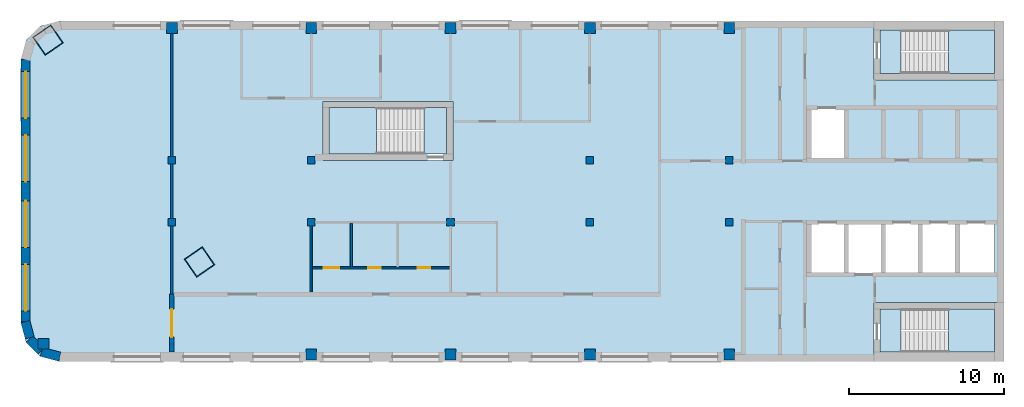
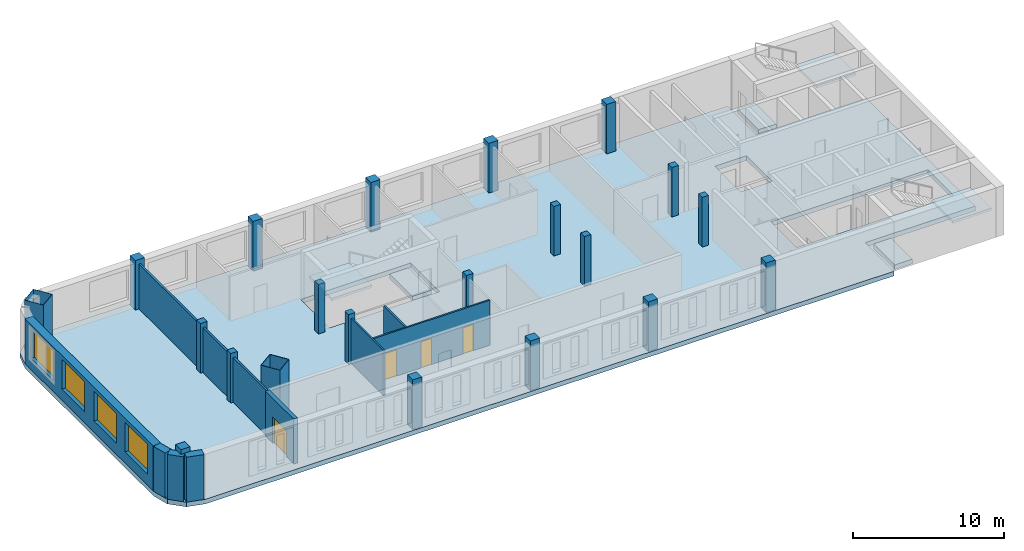
# One storey, part 1 of 5: 21 columns, 9 walls, 7 slabs, 4 doors, 4 windows, 8 openings, 3 elements without a shape of their own.
"""IFC4 building model written with IfcOpenShell, lengths in metres."""

from ifc_helpers import new_model, si_unit, direction, frame, frame_2d, origin, origin_2d, place, context, subcontext, project, spatial, polyline, rectangle, hollow_rectangle, outline, extrude, material, layer, layer_set, material_profile, profile_set, type_object, element, fill, aggregate, save


model = new_model("IFC4")

# Units and contexts
model_context = context("Model", 3, precision=1e-05, world=origin(), true_north=direction((0.0, 1.0)))
body_context = subcontext(model_context, "Body", "Model", "MODEL_VIEW")
ifc_project = project(units=[si_unit("LENGTHUNIT", "METRE"), si_unit("AREAUNIT", "SQUARE_METRE"), si_unit("VOLUMEUNIT", "CUBIC_METRE"), si_unit("PLANEANGLEUNIT", "RADIAN"), si_unit("MASSUNIT", "GRAM", prefix="KILO")], contexts=[model_context])

# Site, building, storey
site_placement = place(None, origin())
site = spatial("IfcSite", under=ifc_project, at=site_placement, CompositionType="ELEMENT")
building_placement = place(site_placement, origin())
building = spatial("IfcBuilding", under=site, at=building_placement, Name="Skarvind Civic Tower", CompositionType="ELEMENT")
storey_placement = place(building_placement, frame((0.0, 0.0, 257.5)))
storey = spatial("IfcBuildingStorey", under=building, at=storey_placement, Name="L61", CompositionType="ELEMENT", Elevation=257.5)

# Columns
ifc_material_1 = material(Name="Concrete C60", Category="concrete")
ifc_material_profile_1 = material_profile(ifc_material_1, rectangle(XDim=0.5, YDim=0.5, at=origin_2d()), Name="RC-500x500")
ifc_profile_set_1 = profile_set([ifc_material_profile_1], Name="Concrete C60")
column_type_1 = type_object("IfcColumnType", Name="Column RC-500x500 C60", PredefinedType="COLUMN", material=ifc_profile_set_1)
for number, where, z_axis, x_axis, name in (
    (1, (54.25, 130.0, 0.0), (0.0, 0.0, 1.0), (1.0, 0.0, 0.0), "Column wing 1 north inner 02 L61"),
    (2, (63.25, 130.0, 0.0), (0.0, 0.0, 1.0), (1.0, 0.0, 0.0), "Column wing 1 north inner 03 L61"),
    (3, (81.25, 130.0, 0.0), (0.0, 0.0, 1.0), (1.0, 0.0, 0.0), "Column wing 1 north inner 05 L61"),
    (4, (90.25, 130.0, 0.0), (0.0, 0.0, 1.0), (1.0, 0.0, 0.0), "Column wing 1 north inner 06 L61"),
    (5, (54.25, 126.0, 0.0), (0.0, 0.0, 1.0), (1.0, 0.0, 0.0), "Column wing 1 south inner 02 L61"),
    (6, (63.25, 126.0, 0.0), (0.0, 0.0, 1.0), (1.0, 0.0, 0.0), "Column wing 1 south inner 03 L61"),
    (7, (72.25, 126.0, 0.0), (0.0, 0.0, 1.0), (1.0, 0.0, 0.0), "Column wing 1 south inner 04 L61"),
    (8, (81.25, 126.0, 0.0), (0.0, 0.0, 1.0), (1.0, 0.0, 0.0), "Column wing 1 south inner 05 L61"),
    (9, (90.25, 126.0, 0.0), (0.0, 0.0, 1.0), (1.0, 0.0, 0.0), "Column wing 1 south inner 06 L61"),
):
    element("IfcColumn", number, at=place(storey_placement, frame(where, z_axis=z_axis, x_axis=x_axis)), inside=storey, type_object=column_type_1, Name=name, PredefinedType="COLUMN", context=body_context, shape_type="SweptSolid", body=[
        extrude(rectangle(XDim=0.5, YDim=0.5, at=origin_2d()), origin(), (0.0, 0.0, 1.0), 4.0),
    ])
ifc_material_profile_2 = material_profile(ifc_material_1, rectangle(XDim=0.699951171875, YDim=0.699951171875, at=origin_2d()), Name="RC-700x700")
ifc_profile_set_2 = profile_set([ifc_material_profile_2], Name="Concrete C60")
column_type_2 = type_object("IfcColumnType", Name="Column RC-700x700 C60", PredefinedType="COLUMN", material=ifc_profile_set_2)
for number, where, z_axis, x_axis, name in (
    (10, (54.25, 138.550048828125, 0.0), (0.0, 0.0, 1.0), (1.0, 0.0, 0.0), "Column wing 1 north perimeter 02 L61"),
    (11, (63.25, 138.550048828125, 0.0), (0.0, 0.0, 1.0), (1.0, 0.0, 0.0), "Column wing 1 north perimeter 03 L61"),
    (12, (72.25, 138.550048828125, 0.0), (0.0, 0.0, 1.0), (1.0, 0.0, 0.0), "Column wing 1 north perimeter 04 L61"),
    (13, (81.25, 138.550048828125, 0.0), (0.0, 0.0, 1.0), (1.0, 0.0, 0.0), "Column wing 1 north perimeter 05 L61"),
    (14, (90.25, 138.550048828125, 0.0), (0.0, 0.0, 1.0), (1.0, 0.0, 0.0), "Column wing 1 north perimeter 06 L61"),
    (15, (45.95166015625, 118.151611328125, 0.0), (0.0, 0.0, 1.0), (1.0, 0.0, 0.0), "Column wing 1 south perimeter 01 L61"),
    (16, (63.25, 117.449951171875, 0.0), (0.0, 0.0, 1.0), (1.0, 0.0, 0.0), "Column wing 1 south perimeter 03 L61"),
    (17, (72.25, 117.449951171875, 0.0), (0.0, 0.0, 1.0), (1.0, 0.0, 0.0), "Column wing 1 south perimeter 04 L61"),
    (18, (81.25, 117.449951171875, 0.0), (0.0, 0.0, 1.0), (1.0, 0.0, 0.0), "Column wing 1 south perimeter 05 L61"),
    (19, (90.25, 117.449951171875, 0.0), (0.0, 0.0, 1.0), (1.0, 0.0, 0.0), "Column wing 1 south perimeter 06 L61"),
):
    element("IfcColumn", number, at=place(storey_placement, frame(where, z_axis=z_axis, x_axis=x_axis)), inside=storey, type_object=column_type_2, Name=name, PredefinedType="COLUMN", context=body_context, shape_type="SweptSolid", body=[
        extrude(rectangle(XDim=0.699951171875, YDim=0.699951171875, at=origin_2d()), origin(), (0.0, 0.0, 1.0), 4.0),
    ])
ifc_material_2 = material(Name="Composite concrete-filled steel tube, Steel SM355 with Concrete C60", Category="concrete")
ifc_material_profile_3 = material_profile(ifc_material_2, hollow_rectangle(XDim=1.39990234375, YDim=1.39990234375, WallThickness=0.02490234375, at=origin_2d()), Name="BOX-1400x1400x25")
ifc_profile_set_3 = profile_set([ifc_material_profile_3], Name="Composite concrete-filled steel tube, Steel SM355 with Concrete C60")
column_type_3 = type_object("IfcColumnType", Name="Mega column BOX-1400x1400x25 filled C60", PredefinedType="COLUMN", material=ifc_profile_set_3)
for number, where, z_axis, x_axis, name in (
    (20, (46.2470703125, 137.762451171875, 0.0), (0.0, 0.0, 1.0), (0.573576436351, -0.819152044289, 0.0), "Mega column 2 L61"),
    (21, (56.0361328125, 123.43017578125, 0.0), (0.0, 0.0, 1.0), (0.573576436351, -0.819152044289, 0.0), "Mega column 4 L61"),
):
    element("IfcColumn", number, at=place(storey_placement, frame(where, z_axis=z_axis, x_axis=x_axis)), inside=storey, type_object=column_type_3, Name=name, PredefinedType="COLUMN", context=body_context, shape_type="SweptSolid", body=[
        extrude(hollow_rectangle(XDim=1.39990234375, YDim=1.39990234375, WallThickness=0.02490234375, at=origin_2d()), origin(), (0.0, 0.0, 1.0), 4.0),
    ])

# Slabs
ifc_material_3 = material(Name="Concrete C50", Category="concrete")
ifc_layer_1 = layer(ifc_material_3, 0.375)
ifc_layer_set_1 = layer_set([ifc_layer_1], Name="Floor slab 375 C50")
slab_type_1 = type_object("IfcSlabType", Name="Floor slab 375 C50", PredefinedType="FLOOR", material=ifc_layer_set_1)
slab_1_placement = place(storey_placement, frame((0.0, 0.0, -0.375)))
element("IfcSlab", 22, at=slab_1_placement, inside=storey, type_object=slab_type_1, Name="Floor slab L61 1", PredefinedType="FLOOR", context=body_context, shape_type="SweptSolid", body=[
    extrude(outline(polyline([(99.60009765625, 117.0), (99.60009765625, 120.800048828125), (108.0, 120.800048828125), (108.0, 135.199951171875), (99.60009765625, 135.199951171875), (99.60009765625, 139.0), (47.0, 139.0), (45.75, 138.6650390625), (44.8349609375, 137.75), (44.5, 136.5), (44.5, 119.5), (44.8349609375, 118.25), (45.75, 117.3349609375), (47.0, 117.0), (99.60009765625, 117.0)]), holes=[polyline([(95.39990234375, 126.0), (97.800048828125, 126.0), (100.199951171875, 126.0), (102.60009765625, 126.0), (105.0, 126.0), (107.39990234375, 126.0), (107.39990234375, 122.60009765625), (105.0, 122.60009765625), (102.60009765625, 122.60009765625), (100.199951171875, 122.60009765625), (97.800048828125, 122.60009765625), (95.39990234375, 122.60009765625), (95.39990234375, 126.0)]), polyline([(95.39990234375, 133.39990234375), (97.800048828125, 133.39990234375), (97.800048828125, 130.0), (95.39990234375, 130.0), (95.39990234375, 133.39990234375)]), polyline([(64.0, 130.0), (64.0, 133.800048828125), (72.39990234375, 133.800048828125), (72.39990234375, 130.0), (64.0, 130.0)])]), origin(), (0.0, 0.0, 1.0), 0.375),
])
ifc_material_4 = material(Name="Concrete C40/50", Category="concrete")
ifc_layer_2 = layer(ifc_material_4, 0.375)
ifc_layer_set_2 = layer_set([ifc_layer_2], Name="Stair floor landing slab 375")
slab_type_2 = type_object("IfcSlabType", Name="Stair floor landing slab 375", PredefinedType="LANDING", material=ifc_layer_set_2)
slab_2_placement = place(storey_placement, frame((0.0, 0.0, -0.375)))
element("IfcSlab", 23, at=slab_2_placement, inside=storey, type_object=slab_type_2, Name="Stair floor landing", PredefinedType="LANDING", context=body_context, shape_type="SweptSolid", body=[
    extrude(outline(polyline([(101.3505859375, 138.400634765625), (101.3505859375, 135.599365234375), (99.99951171875, 135.599365234375), (99.99951171875, 138.400634765625), (101.3505859375, 138.400634765625)])), origin(), (0.0, 0.0, 1.0), 0.375),
])
slab_3_placement = place(storey_placement, frame((0.0, 0.0, -0.375)))
element("IfcSlab", 24, at=slab_3_placement, inside=storey, type_object=slab_type_2, Name="Stair floor landing", PredefinedType="LANDING", context=body_context, shape_type="SweptSolid", body=[
    extrude(outline(polyline([(101.3505859375, 120.400634765625), (101.3505859375, 117.599365234375), (99.99951171875, 117.599365234375), (99.99951171875, 120.400634765625), (101.3505859375, 120.400634765625)])), origin(), (0.0, 0.0, 1.0), 0.375),
])
slab_4_placement = place(storey_placement, frame((0.0, 0.0, -0.375)))
element("IfcSlab", 25, at=slab_4_placement, inside=storey, type_object=slab_type_2, Name="Stair floor landing", PredefinedType="LANDING", context=body_context, shape_type="SweptSolid", body=[
    extrude(outline(polyline([(70.54931640625, 130.3994140625), (70.54931640625, 133.400634765625), (72.00048828125, 133.400634765625), (72.00048828125, 130.3994140625), (70.54931640625, 130.3994140625)])), origin(), (0.0, 0.0, 1.0), 0.375),
])

# Stair, slab
stair_type_1 = type_object("IfcStairType", Name="Exit stair, half-turn, concrete", PredefinedType="HALF_TURN_STAIR", material=ifc_material_4)
stair_1_placement = place(storey_placement, origin())
stair_1 = element("IfcStair", 26, at=stair_1_placement, inside=storey, type_object=stair_type_1, Name="Exit stair C1S", PredefinedType="HALF_TURN_STAIR")
ifc_layer_3 = layer(ifc_material_4, 0.199951171875)
ifc_layer_set_3 = layer_set([ifc_layer_3], Name="Stair half landing slab")
slab_type_3 = type_object("IfcSlabType", Name="Stair half landing slab", PredefinedType="LANDING", material=ifc_layer_set_3)
slab_5_placement = place(storey_placement, frame((0.0, 0.0, 1.800048828125)))
slab_5 = element("IfcSlab", 27, at=slab_5_placement, type_object=slab_type_3, Name="ST-C1S landing 1", PredefinedType="LANDING", context=body_context, shape_type="SweptSolid", body=[
    extrude(outline(polyline([(104.429443359375, 135.599365234375), (104.429443359375, 138.400634765625), (107.400634765625, 138.400634765625), (107.400634765625, 135.599365234375), (104.429443359375, 135.599365234375)])), origin(), (0.0, 0.0, 1.0), 0.199951171875),
])
aggregate(stair_1, [slab_5])

stair_2_placement = place(storey_placement, origin())
stair_2 = element("IfcStair", 28, at=stair_2_placement, inside=storey, type_object=stair_type_1, Name="Exit stair C1N", PredefinedType="HALF_TURN_STAIR")
slab_6_placement = place(storey_placement, frame((0.0, 0.0, 1.800048828125)))
slab_6 = element("IfcSlab", 29, at=slab_6_placement, type_object=slab_type_3, Name="ST-C1N landing 1", PredefinedType="LANDING", context=body_context, shape_type="SweptSolid", body=[
    extrude(outline(polyline([(104.429443359375, 117.599365234375), (104.429443359375, 120.400634765625), (107.400634765625, 120.400634765625), (107.400634765625, 117.599365234375), (104.429443359375, 117.599365234375)])), origin(), (0.0, 0.0, 1.0), 0.199951171875),
])
aggregate(stair_2, [slab_6])

stair_type_2 = type_object("IfcStairType", Name="Exit stair 1450, half-turn, concrete", PredefinedType="HALF_TURN_STAIR", material=ifc_material_4)
stair_3_placement = place(storey_placement, origin())
stair_3 = element("IfcStair", 30, at=stair_3_placement, inside=storey, type_object=stair_type_2, Name="Exit stair CM", PredefinedType="HALF_TURN_STAIR")
slab_7_placement = place(storey_placement, frame((0.0, 0.0, 1.800048828125)))
slab_7 = element("IfcSlab", 31, at=slab_7_placement, type_object=slab_type_3, Name="ST-CM landing 1", PredefinedType="LANDING", context=body_context, shape_type="SweptSolid", body=[
    extrude(outline(polyline([(67.470703125, 133.400634765625), (67.470703125, 130.3994140625), (64.3994140625, 130.3994140625), (64.3994140625, 133.400634765625), (67.470703125, 133.400634765625)])), origin(), (0.0, 0.0, 1.0), 0.199951171875),
])
aggregate(stair_3, [slab_7])

# Wall, opening, door
ifc_material_5 = material(Name="Fire-rated gypsum board on steel studs", Category="steel")
ifc_layer_4 = layer(ifc_material_5, 0.300048828125)
ifc_layer_set_4 = layer_set([ifc_layer_4], Name="CORRIDOR WALL 300")
wall_type_1 = type_object("IfcWallType", Name="CORRIDOR WALL 300", PredefinedType="PARTITIONING", material=ifc_layer_set_4)
wall_1_placement = place(storey_placement, frame((54.25, 117.60009765625, 0.0), z_axis=(0.0, 0.0, 1.0), x_axis=(0.0, 1.0, 0.0)))
wall_1 = element("IfcWall", 32, at=wall_1_placement, inside=storey, type_object=wall_type_1, Name="Partition 61.001", PredefinedType="PARTITIONING", context=body_context, shape_type="SweptSolid", body=[
    extrude(rectangle(XDim=3.75, YDim=0.300048828125, at=frame_2d((1.875, 0.0))), origin(), (0.0, 0.0, 1.0), 3.625),
])
opening_1_placement = place(wall_1_placement, frame((0.9765625, 0.0, 0.0)))
opening_1 = element("IfcOpeningElement", 33, at=opening_1_placement, cuts=wall_1, Name="Opening L61-D013", PredefinedType="OPENING", context=body_context, shape_type="SweptSolid", body=[
    extrude(rectangle(XDim=1.800048828125, YDim=2.10009765625, at=frame_2d((0.89990234375, 1.050048828125))), frame((0.0, 0.159912109375, 0.0), z_axis=(0.0, -1.0, 0.0), x_axis=(1.0, 0.0, 0.0)), (0.0, 0.0, 1.0), 0.320068359375),
])
ifc_material_6 = material(Name="Fire-rated timber door leaf", Category="wood")
door_type_1 = type_object("IfcDoorType", Name="FD4 1800x2100", OperationType="NOTDEFINED", PredefinedType="DOOR", material=ifc_material_6)
door_1_placement = place(opening_1_placement, origin())
door_1 = element("IfcDoor", 34, at=door_1_placement, inside=storey, type_object=door_type_1, Name="Door L61-D013", OperationType="DOUBLE_DOOR_SINGLE_SWING", OverallHeight=2.10009765625, OverallWidth=1.800048828125, PredefinedType="DOOR", context=body_context, shape_type="SweptSolid", body=[
    extrude(rectangle(XDim=1.800048828125, YDim=2.10009765625, at=frame_2d((0.89990234375, 1.050048828125))), frame((0.0, 0.02490234375, 0.0), z_axis=(0.0, -1.0, 0.0), x_axis=(1.0, 0.0, 0.0)), (0.0, 0.0, 1.0), 0.050048828125),
])
fill(opening_1, door_1)

# Walls
ifc_material_7 = material(Name="Plasterboard partition on steel studs", Category="steel")
ifc_layer_5 = layer(ifc_material_7, 0.14990234375)
ifc_layer_set_5 = layer_set([ifc_layer_5], Name="PARTITION 150")
wall_type_2 = type_object("IfcWallType", Name="PARTITION 150", PredefinedType="PARTITIONING", material=ifc_layer_set_5)
wall_2_placement = place(storey_placement, frame((54.25, 138.39990234375, 0.0), z_axis=(0.0, 0.0, 1.0), x_axis=(0.0, -1.0, 0.0)))
element("IfcWall", 35, at=wall_2_placement, inside=storey, type_object=wall_type_2, Name="Partition 61.003", PredefinedType="PARTITIONING", context=body_context, shape_type="SweptSolid", body=[
    extrude(rectangle(XDim=17.0498046875, YDim=0.14990234375, at=frame_2d((8.52490234375, 0.0))), origin(), (0.0, 0.0, 1.0), 3.625),
])
ifc_material_8 = material(Name="Moisture-resistant gypsum board on steel studs", Category="steel")
ifc_layer_6 = layer(ifc_material_8, 0.125)
ifc_layer_set_6 = layer_set([ifc_layer_6], Name="WC PARTITION 125")
wall_type_3 = type_object("IfcWallType", Name="WC PARTITION 125", PredefinedType="PARTITIONING", material=ifc_layer_set_6)
wall_3_placement = place(storey_placement, frame((63.25, 121.5, 0.0), z_axis=(0.0, 0.0, 1.0), x_axis=(0.0, 1.0, 0.0)))
element("IfcWall", 36, at=wall_3_placement, inside=storey, type_object=wall_type_3, Name="Partition 61.006", PredefinedType="PARTITIONING", context=body_context, shape_type="SweptSolid", body=[
    extrude(rectangle(XDim=4.43798828125, YDim=0.125, at=frame_2d((2.218994140625, 0.0))), origin(), (0.0, 0.0, 1.0), 3.625),
])

# Wall, openings, doors
wall_4_placement = place(storey_placement, frame((63.31201171875, 123.050048828125, 0.0), z_axis=(0.0, 0.0, 1.0), x_axis=(1.0, 0.0, 0.0)))
wall_4 = element("IfcWall", 37, at=wall_4_placement, inside=storey, type_object=wall_type_3, Name="Partition 61.007", PredefinedType="PARTITIONING", context=body_context, shape_type="SweptSolid", body=[
    extrude(rectangle(XDim=8.8759765625, YDim=0.125, at=frame_2d((4.43798828125, 0.0))), origin(), (0.0, 0.0, 1.0), 3.625),
])
opening_2_placement = place(wall_4_placement, frame((6.81689453125, 0.0, 0.0)))
opening_2 = element("IfcOpeningElement", 38, at=opening_2_placement, cuts=wall_4, Name="Opening L61-D007", PredefinedType="OPENING", context=body_context, shape_type="SweptSolid", body=[
    extrude(rectangle(XDim=0.800048828125, YDim=2.10009765625, at=frame_2d((0.39990234375, 1.050048828125))), frame((0.0, 0.072509765625, 0.0), z_axis=(0.0, -1.0, 0.0), x_axis=(1.0, 0.0, 0.0)), (0.0, 0.0, 1.0), 0.14501953125),
])
opening_3_placement = place(wall_4_placement, frame((3.637939453125, 0.0, 0.0)))
opening_3 = element("IfcOpeningElement", 39, at=opening_3_placement, cuts=wall_4, Name="Opening L61-D008", PredefinedType="OPENING", context=body_context, shape_type="SweptSolid", body=[
    extrude(rectangle(XDim=0.800048828125, YDim=2.10009765625, at=frame_2d((0.39990234375, 1.050048828125))), frame((0.0, 0.072509765625, 0.0), z_axis=(0.0, -1.0, 0.0), x_axis=(1.0, 0.0, 0.0)), (0.0, 0.0, 1.0), 0.14501953125),
])
opening_4_placement = place(wall_4_placement, frame((0.759033203125, 0.0, 0.0)))
opening_4 = element("IfcOpeningElement", 40, at=opening_4_placement, cuts=wall_4, Name="Opening L61-D009", PredefinedType="OPENING", context=body_context, shape_type="SweptSolid", body=[
    extrude(rectangle(XDim=1.0, YDim=2.10009765625, at=frame_2d((0.5, 1.050048828125))), frame((0.0, 0.072509765625, 0.0), z_axis=(0.0, -1.0, 0.0), x_axis=(1.0, 0.0, 0.0)), (0.0, 0.0, 1.0), 0.14501953125),
])
ifc_material_9 = material(Name="Timber door leaf", Category="wood")
door_type_2 = type_object("IfcDoorType", Name="D1 1000x2100", OperationType="NOTDEFINED", PredefinedType="DOOR", material=ifc_material_9)
door_2_placement = place(opening_4_placement, origin())
door_2 = element("IfcDoor", 41, at=door_2_placement, inside=storey, type_object=door_type_2, Name="Door L61-D009", OperationType="SINGLE_SWING_LEFT", OverallHeight=2.10009765625, OverallWidth=1.0, PredefinedType="DOOR", context=body_context, shape_type="SweptSolid", body=[
    extrude(rectangle(XDim=1.0, YDim=2.10009765625, at=frame_2d((0.5, 1.050048828125))), frame((0.0, 0.02490234375, 0.0), z_axis=(0.0, -1.0, 0.0), x_axis=(1.0, 0.0, 0.0)), (0.0, 0.0, 1.0), 0.050048828125),
])
fill(opening_4, door_2)
door_type_3 = type_object("IfcDoorType", Name="DOOR 800X2100 TIMBER", OperationType="NOTDEFINED", PredefinedType="DOOR", material=ifc_material_9)
door_3_placement = place(opening_2_placement, origin())
door_3 = element("IfcDoor", 42, at=door_3_placement, inside=storey, type_object=door_type_3, Name="Door L61-D007", OperationType="SINGLE_SWING_RIGHT", OverallHeight=2.10009765625, OverallWidth=0.800048828125, PredefinedType="DOOR", context=body_context, shape_type="SweptSolid", body=[
    extrude(rectangle(XDim=0.800048828125, YDim=2.10009765625, at=frame_2d((0.39990234375, 1.050048828125))), frame((0.0, 0.02490234375, 0.0), z_axis=(0.0, -1.0, 0.0), x_axis=(1.0, 0.0, 0.0)), (0.0, 0.0, 1.0), 0.050048828125),
])
fill(opening_2, door_3)
door_4_placement = place(opening_3_placement, origin())
door_4 = element("IfcDoor", 43, at=door_4_placement, inside=storey, type_object=door_type_3, Name="Door L61-D008", OperationType="SINGLE_SWING_LEFT", OverallHeight=2.10009765625, OverallWidth=0.800048828125, PredefinedType="DOOR", context=body_context, shape_type="SweptSolid", body=[
    extrude(rectangle(XDim=0.800048828125, YDim=2.10009765625, at=frame_2d((0.39990234375, 1.050048828125))), frame((0.0, 0.02490234375, 0.0), z_axis=(0.0, -1.0, 0.0), x_axis=(1.0, 0.0, 0.0)), (0.0, 0.0, 1.0), 0.050048828125),
])
fill(opening_3, door_4)

# Wall
wall_5_placement = place(storey_placement, frame((65.85009765625, 125.93798828125, 0.0), z_axis=(0.0, 0.0, 1.0), x_axis=(0.0, -1.0, 0.0)))
element("IfcWall", 44, at=wall_5_placement, inside=storey, type_object=wall_type_3, Name="Partition 61.010", PredefinedType="PARTITIONING", context=body_context, shape_type="SweptSolid", body=[
    extrude(rectangle(XDim=2.825927734375, YDim=0.125, at=frame_2d((1.4130859375, 0.0))), origin(), (0.0, 0.0, 1.0), 3.625),
])

# Wall, openings, windows
ifc_material_10 = material(Name="Standing-seam zinc cladding on insulated backing")
ifc_layer_7 = layer(ifc_material_10, 0.60009765625)
ifc_layer_set_7 = layer_set([ifc_layer_7], Name="WX2 ZINC-CLAD FACADE WALL 600")
wall_type_4 = type_object("IfcWallType", Name="WX2 ZINC-CLAD FACADE WALL 600", PredefinedType="SOLIDWALL", material=ifc_layer_set_7)
wall_6_placement = place(storey_placement, frame((44.800048828125, 119.570068359375, 0.0), z_axis=(0.0, 0.0, 1.0), x_axis=(0.0, 1.0, 0.0)))
wall_6 = element("IfcWall", 45, at=wall_6_placement, inside=storey, type_object=wall_type_4, Name="ZINC-CLAD FACADE WALL", PredefinedType="SOLIDWALL", context=body_context, shape_type="SweptSolid", body=[
    extrude(rectangle(XDim=16.929931640625, YDim=0.60009765625, at=frame_2d((8.46484375, 0.0))), origin(), (0.0, 0.0, 1.0), 3.625),
])
opening_5_placement = place(wall_6_placement, frame((0.705078125, 0.0, 0.89990234375)))
opening_5 = element("IfcOpeningElement", 46, at=opening_5_placement, cuts=wall_6, Name="Opening WN4", PredefinedType="OPENING", context=body_context, shape_type="SweptSolid", body=[
    extrude(rectangle(XDim=3.0, YDim=2.39990234375, at=frame_2d((1.5, 1.199951171875))), frame((0.0, 0.31005859375, 0.0), z_axis=(0.0, -1.0, 0.0), x_axis=(1.0, 0.0, 0.0)), (0.0, 0.0, 1.0), 0.6201171875),
])
opening_6_placement = place(wall_6_placement, frame((4.804931640625, 0.0, 0.89990234375)))
opening_6 = element("IfcOpeningElement", 47, at=opening_6_placement, cuts=wall_6, Name="Opening WN4", PredefinedType="OPENING", context=body_context, shape_type="SweptSolid", body=[
    extrude(rectangle(XDim=3.0, YDim=2.39990234375, at=frame_2d((1.5, 1.199951171875))), frame((0.0, 0.31005859375, 0.0), z_axis=(0.0, -1.0, 0.0), x_axis=(1.0, 0.0, 0.0)), (0.0, 0.0, 1.0), 0.6201171875),
])
opening_7_placement = place(wall_6_placement, frame((9.054931640625, 0.0, 0.89990234375)))
opening_7 = element("IfcOpeningElement", 48, at=opening_7_placement, cuts=wall_6, Name="Opening WN4", PredefinedType="OPENING", context=body_context, shape_type="SweptSolid", body=[
    extrude(rectangle(XDim=3.0, YDim=2.39990234375, at=frame_2d((1.5, 1.199951171875))), frame((0.0, 0.31005859375, 0.0), z_axis=(0.0, -1.0, 0.0), x_axis=(1.0, 0.0, 0.0)), (0.0, 0.0, 1.0), 0.6201171875),
])
opening_8_placement = place(wall_6_placement, frame((13.155029296875, 0.0, 0.89990234375)))
opening_8 = element("IfcOpeningElement", 49, at=opening_8_placement, cuts=wall_6, Name="Opening WN4", PredefinedType="OPENING", context=body_context, shape_type="SweptSolid", body=[
    extrude(rectangle(XDim=3.0, YDim=2.39990234375, at=frame_2d((1.5, 1.199951171875))), frame((0.0, 0.31005859375, 0.0), z_axis=(0.0, -1.0, 0.0), x_axis=(1.0, 0.0, 0.0)), (0.0, 0.0, 1.0), 0.6201171875),
])
ifc_material_11 = material(Name="Timber frame, double glazing, copper-lined reveal", Category="wood")
window_type = type_object("IfcWindowType", Name="WN4 COPPER-LINED WINDOW 3000 x 2400", PartitioningType="SINGLE_PANEL", PredefinedType="WINDOW", material=ifc_material_11)
window_1_placement = place(opening_5_placement, origin())
window_1 = element("IfcWindow", 50, at=window_1_placement, inside=storey, type_object=window_type, Name="WN4 WINDOW", OverallHeight=2.39990234375, OverallWidth=3.0, PartitioningType="SINGLE_PANEL", PredefinedType="WINDOW", context=body_context, shape_type="SweptSolid", body=[
    extrude(rectangle(XDim=3.0, YDim=2.39990234375, at=frame_2d((1.5, 1.199951171875))), frame((0.0, 0.030029296875, 0.0), z_axis=(0.0, -1.0, 0.0), x_axis=(1.0, 0.0, 0.0)), (0.0, 0.0, 1.0), 0.06005859375),
])
fill(opening_5, window_1)
window_2_placement = place(opening_6_placement, origin())
window_2 = element("IfcWindow", 51, at=window_2_placement, inside=storey, type_object=window_type, Name="WN4 WINDOW", OverallHeight=2.39990234375, OverallWidth=3.0, PartitioningType="SINGLE_PANEL", PredefinedType="WINDOW", context=body_context, shape_type="SweptSolid", body=[
    extrude(rectangle(XDim=3.0, YDim=2.39990234375, at=frame_2d((1.5, 1.199951171875))), frame((0.0, 0.030029296875, 0.0), z_axis=(0.0, -1.0, 0.0), x_axis=(1.0, 0.0, 0.0)), (0.0, 0.0, 1.0), 0.06005859375),
])
fill(opening_6, window_2)
window_3_placement = place(opening_7_placement, origin())
window_3 = element("IfcWindow", 52, at=window_3_placement, inside=storey, type_object=window_type, Name="WN4 WINDOW", OverallHeight=2.39990234375, OverallWidth=3.0, PartitioningType="SINGLE_PANEL", PredefinedType="WINDOW", context=body_context, shape_type="SweptSolid", body=[
    extrude(rectangle(XDim=3.0, YDim=2.39990234375, at=frame_2d((1.5, 1.199951171875))), frame((0.0, 0.030029296875, 0.0), z_axis=(0.0, -1.0, 0.0), x_axis=(1.0, 0.0, 0.0)), (0.0, 0.0, 1.0), 0.06005859375),
])
fill(opening_7, window_3)
window_4_placement = place(opening_8_placement, origin())
window_4 = element("IfcWindow", 53, at=window_4_placement, inside=storey, type_object=window_type, Name="WN4 WINDOW", OverallHeight=2.39990234375, OverallWidth=3.0, PartitioningType="SINGLE_PANEL", PredefinedType="WINDOW", context=body_context, shape_type="SweptSolid", body=[
    extrude(rectangle(XDim=3.0, YDim=2.39990234375, at=frame_2d((1.5, 1.199951171875))), frame((0.0, 0.030029296875, 0.0), z_axis=(0.0, -1.0, 0.0), x_axis=(1.0, 0.0, 0.0)), (0.0, 0.0, 1.0), 0.06005859375),
])
fill(opening_8, window_4)

# Walls
wall_7_placement = place(storey_placement, frame((45.0703125, 118.530517578125, 0.0), z_axis=(0.0, 0.0, 1.0), x_axis=(-0.25876985698, 0.965939004864, 0.0)))
element("IfcWall", 54, at=wall_7_placement, inside=storey, type_object=wall_type_4, Name="ZINC-CLAD FACADE WALL", PredefinedType="SOLIDWALL", context=body_context, shape_type="SweptSolid", body=[
    extrude(rectangle(XDim=1.083984375, YDim=0.60009765625, at=frame_2d((0.5419921875, 0.0))), origin(), (0.0, 0.0, 1.0), 3.625),
])
wall_8_placement = place(storey_placement, frame((45.813720703125, 117.695556640625, 0.0), z_axis=(0.0, 0.0, 1.0), x_axis=(-0.707106781187, 0.707106781187, 0.0)))
element("IfcWall", 55, at=wall_8_placement, inside=storey, type_object=wall_type_4, Name="ZINC-CLAD FACADE WALL", PredefinedType="SOLIDWALL", context=body_context, shape_type="SweptSolid", body=[
    extrude(rectangle(XDim=1.084228515625, YDim=0.60009765625, at=frame_2d((0.5419921875, 0.0))), origin(), (0.0, 0.0, 1.0), 3.625),
])
wall_9_placement = place(storey_placement, frame((47.010009765625, 117.307861328125, 0.0), z_axis=(0.0, 0.0, 1.0), x_axis=(-0.965909766102, 0.258878975098, 0.0)))
element("IfcWall", 56, at=wall_9_placement, inside=storey, type_object=wall_type_4, Name="ZINC-CLAD FACADE WALL", PredefinedType="SOLIDWALL", context=body_context, shape_type="SweptSolid", body=[
    extrude(rectangle(XDim=1.22412109375, YDim=0.60009765625, at=frame_2d((0.612060546875, 0.0))), origin(), (0.0, 0.0, 1.0), 3.625),
])

save(model, "model.ifc")
